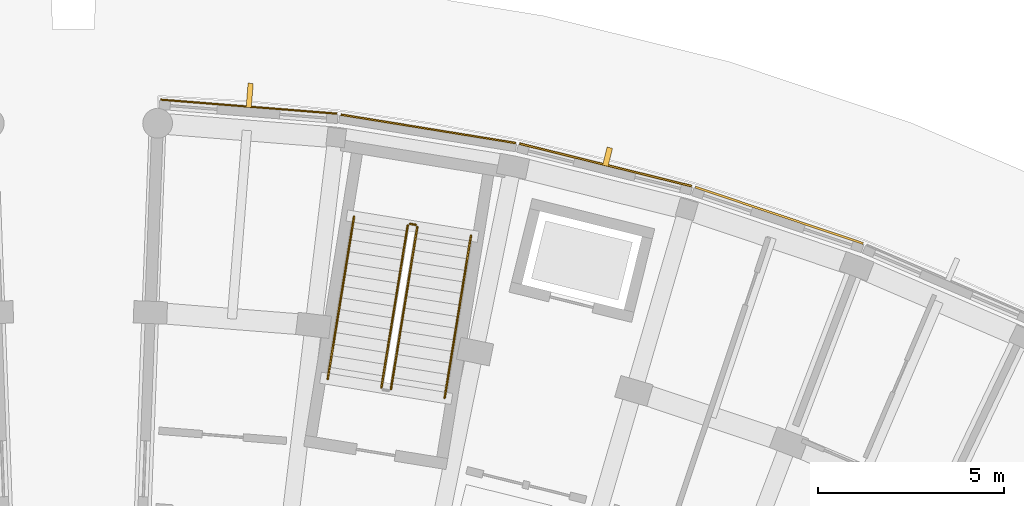
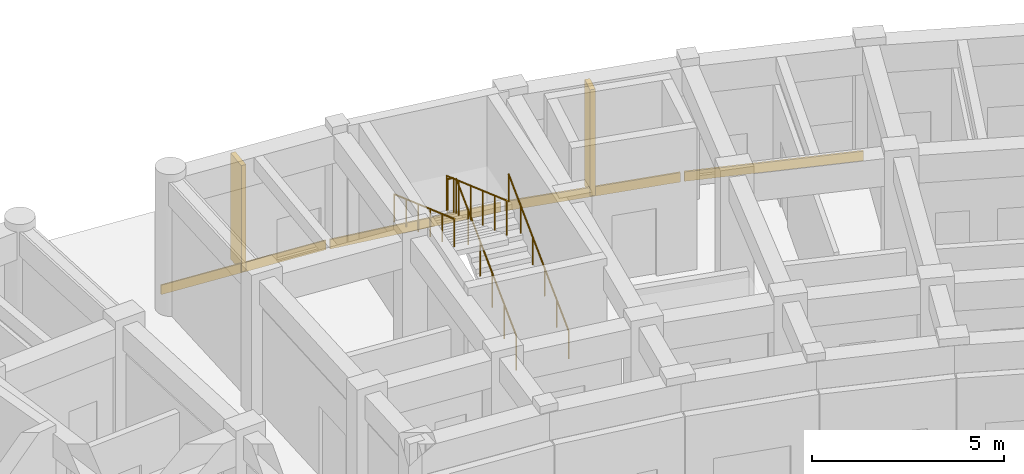
# One storey, part 55 of 61: 5 railings, 4 coverings, 2 shading devices.
"""IFC4 building model written with IfcOpenShell, lengths in metres."""

import ifcopenshell
import ifcopenshell.guid

model = None  # the IFC model being written
_history = None  # IfcOwnerHistory: only IFC2X3 demands one
_inside = {}  # id of a spatial element -> (the spatial element, [elements in it])
_under = {}  # id of a project, library or spatial element -> (it, [spatial elements below it])
_declared = {}  # id of a project -> (the project, [libraries it declares])
_typed = {}  # id of a type object -> (the type object, [elements of that type])
_made_of = {}  # id of a material, layer set ... -> (it, [elements and type objects made of it])


def new_model(schema):
    """Start an empty IFC model of exactly this schema.

    Asked for "IFC4X3", IfcOpenShell would pick the latest addendum, in which some entities
    have other attributes; the version numbers below select the first issue.
    IFC2X3 requires an IfcOwnerHistory on every rooted entity: one is made here for all.
    """
    global model, _history
    if schema == "IFC4X3":
        model = ifcopenshell.file(schema_version=(4, 3, 0, 0))
    else:
        model = ifcopenshell.file(schema=schema)
    _inside.clear()
    _under.clear()
    _declared.clear()
    _typed.clear()
    _made_of.clear()
    _history = None
    if model.schema == "IFC2X3":
        org = make("IfcOrganization", Name="unknown")
        user = make(
            "IfcPersonAndOrganization",
            ThePerson=make("IfcPerson", FamilyName="unknown"),
            TheOrganization=org,
        )
        app = make(
            "IfcApplication",
            ApplicationDeveloper=org,
            Version="unknown",
            ApplicationFullName="unknown",
            ApplicationIdentifier="unknown",
        )
        _history = make(
            "IfcOwnerHistory",
            OwningUser=user,
            OwningApplication=app,
            ChangeAction="ADDED",
            CreationDate=0,
        )
    return model


def make(cls, **values):
    """One entity of the class cls with the attributes given. An attribute that is None is left unset."""
    return model.create_entity(
        cls, **{name: value for name, value in values.items() if value is not None}
    )


def rooted(cls, **values):
    """An entity with a GlobalId (a new one), such as an element, a storey or a relation."""
    return make(cls, GlobalId=ifcopenshell.guid.new(), OwnerHistory=_history, **values)


def si_unit(unit_type, name, prefix=None):
    """IfcSIUnit, for example si_unit("LENGTHUNIT", "METRE", prefix="MILLI")."""
    return make("IfcSIUnit", UnitType=unit_type, Prefix=prefix, Name=name)


def assignment(units):
    """IfcUnitAssignment: the units of a project."""
    return None if units is None else make("IfcUnitAssignment", Units=units)


def point(xyz):
    """IfcCartesianPoint."""
    return None if xyz is None else make("IfcCartesianPoint", Coordinates=xyz)


def direction(xyz):
    """IfcDirection."""
    return None if xyz is None else make("IfcDirection", DirectionRatios=xyz)


def frame(location, z_axis=None, x_axis=None):
    """IfcAxis2Placement3D, a coordinate frame: its origin and axes. An axis left out is left unset."""
    return make(
        "IfcAxis2Placement3D",
        Location=point(location),
        Axis=direction(z_axis),
        RefDirection=direction(x_axis),
    )


def frame_2d(location, x_axis=None):
    """IfcAxis2Placement2D, a coordinate frame in the plane: its origin and x axis."""
    return make(
        "IfcAxis2Placement2D", Location=point(location), RefDirection=direction(x_axis)
    )


def origin():
    """The frame at (0, 0, 0) with its axes left unset."""
    return frame((0.0, 0.0, 0.0))


def origin_2d():
    """The frame at (0, 0) in the plane with its x axis left unset."""
    return frame_2d((0.0, 0.0))


def place(relative_to, where):
    """IfcLocalPlacement: puts the frame where relative to a parent placement (None: the world)."""
    return make(
        "IfcLocalPlacement", PlacementRelTo=relative_to, RelativePlacement=where
    )


def context(
    kind, dimensions, precision=None, world=None, true_north=None, identifier=None
):
    """IfcGeometricRepresentationContext, for example the 3D "Model" context."""
    return make(
        "IfcGeometricRepresentationContext",
        ContextIdentifier=identifier,
        ContextType=kind,
        CoordinateSpaceDimension=dimensions,
        Precision=precision,
        WorldCoordinateSystem=world,
        TrueNorth=true_north,
    )


def subcontext(parent, identifier, kind, view, scale=None):
    """IfcGeometricRepresentationSubContext, for example "Body" below "Model"."""
    return make(
        "IfcGeometricRepresentationSubContext",
        ContextIdentifier=identifier,
        ContextType=kind,
        ParentContext=parent,
        TargetScale=scale,
        TargetView=view,
    )


def project(units=None, contexts=None):
    """IfcProject with its units and contexts."""
    return rooted(
        "IfcProject",
        Name="project",
        RepresentationContexts=contexts,
        UnitsInContext=assignment(units),
    )


def spatial(cls, under=None, at=None, **own):
    """A site, building, storey or space (cls), placed at a placement, below another one or the project."""
    s = rooted(cls, ObjectPlacement=at, **own)
    if under is not None:
        _under.setdefault(under.id(), (under, []))[1].append(s)
    return s


def profile(cls, at=None, kind="AREA", **sizes):
    """A parametric profile (cls). Its sizes go by their IFC names, for example OverallWidth=200.0."""
    return make(cls, ProfileType=kind, Position=at, **sizes)


def rectangle(**sizes):
    """IfcRectangleProfileDef."""
    return profile("IfcRectangleProfileDef", **sizes)


def circle(**sizes):
    """IfcCircleProfileDef."""
    return profile("IfcCircleProfileDef", **sizes)


def extrude(swept, where, along, depth):
    """IfcExtrudedAreaSolid: the profile swept, set in the frame where, extruded along a direction by depth."""
    return make(
        "IfcExtrudedAreaSolid",
        SweptArea=swept,
        Position=where,
        ExtrudedDirection=direction(along),
        Depth=depth,
    )


def shape(context_of_items, identifier, shape_type, items):
    """IfcShapeRepresentation: the items that make up one representation, for example the "Body"."""
    return make(
        "IfcShapeRepresentation",
        ContextOfItems=context_of_items,
        RepresentationIdentifier=identifier,
        RepresentationType=shape_type,
        Items=items,
    )


def material(Name=None, Category=None):
    """IfcMaterial."""
    return make("IfcMaterial", Name=Name, Category=Category)


def layer(
    of_material, thickness, ventilated=None, Name=None, Category=None, Priority=None
):
    """IfcMaterialLayer: one layer of a wall or slab, of a material (None: an air gap)."""
    return make(
        "IfcMaterialLayer",
        Material=of_material,
        LayerThickness=thickness,
        IsVentilated=ventilated,
        Name=Name,
        Category=Category,
        Priority=Priority,
    )


def layer_set(layers, Name=None):
    """IfcMaterialLayerSet."""
    return make("IfcMaterialLayerSet", MaterialLayers=layers, LayerSetName=Name)


def made_of(thing, what):
    """Note that an element or type object is made of a material, layer set ...; save() writes the relation."""
    if what is not None:
        _made_of.setdefault(what.id(), (what, []))[1].append(thing)
    return thing


def type_object(cls, material=None, **own):
    """A type object (cls), such as IfcWallType, which elements share."""
    return made_of(rooted(cls, **own), material)


def element(
    cls,
    number,
    at=None,
    inside=None,
    cuts=None,
    type_object=None,
    material=None,
    context=None,
    identifier="Body",
    shape_type=None,
    held_by="IfcProductDefinitionShape",
    body=None,
    shapes=None,
    **own,
):
    """One element of the class cls, such as IfcWall. Its Tag is "e" and its number.

    at: its placement. inside: the storey or other place that contains it. cuts: it is an
    opening in that element (IfcRelVoidsElement). A single representation is given by context,
    identifier, shape_type and body (its items); several are given by shapes. held_by: the class
    of the entity that holds the representations. save() writes the other relations.
    """
    e = rooted(cls, Tag="e%d" % number, ObjectPlacement=at, **own)
    if body is not None:
        shapes = [shape(context, identifier, shape_type, body)]
    if shapes is not None:
        e.Representation = make(held_by, Representations=shapes)
    if inside is not None:
        _inside.setdefault(inside.id(), (inside, []))[1].append(e)
    if cuts is not None:
        rooted(
            "IfcRelVoidsElement", RelatingBuildingElement=cuts, RelatedOpeningElement=e
        )
    if type_object is not None:
        _typed.setdefault(type_object.id(), (type_object, []))[1].append(e)
    return made_of(e, material)


def aggregate(whole, parts):
    """IfcRelAggregates: a whole, such as a stair, and the parts it consists of."""
    return rooted("IfcRelAggregates", RelatingObject=whole, RelatedObjects=parts)


def save(model, path):
    """Write the relations noted so far, then the file.

    IfcRelAggregates (storeys below a building ...), IfcRelContainedInSpatialStructure (elements
    in a storey), IfcRelDefinesByType, IfcRelAssociatesMaterial and IfcRelDeclares: one each for
    every whole, place, type object, material and project.
    """
    for whole, parts in _under.values():
        aggregate(whole, parts)
    for where, things in _inside.values():
        rooted(
            "IfcRelContainedInSpatialStructure",
            RelatedElements=things,
            RelatingStructure=where,
        )
    for kind, things in _typed.values():
        rooted("IfcRelDefinesByType", RelatedObjects=things, RelatingType=kind)
    for what, things in _made_of.values():
        rooted("IfcRelAssociatesMaterial", RelatedObjects=things, RelatingMaterial=what)
    for by, libraries in _declared.values():
        rooted("IfcRelDeclares", RelatingContext=by, RelatedDefinitions=libraries)
    model.write(path)


model = new_model("IFC4")

# Units and contexts
model_context = context("Model", 3, precision=1e-05, world=origin(), true_north=direction((0.0, 1.0)))
body_context = subcontext(model_context, "Body", "Model", "MODEL_VIEW")
ifc_project = project(units=[si_unit("LENGTHUNIT", "METRE"), si_unit("AREAUNIT", "SQUARE_METRE"), si_unit("VOLUMEUNIT", "CUBIC_METRE"), si_unit("PLANEANGLEUNIT", "RADIAN"), si_unit("MASSUNIT", "GRAM", prefix="KILO")], contexts=[model_context])

# Site, building, storey
site_placement = place(None, origin())
site = spatial("IfcSite", under=ifc_project, at=site_placement, CompositionType="ELEMENT")
building_placement = place(site_placement, origin())
building = spatial("IfcBuilding", under=site, at=building_placement, Name="Zimvara Arc Housing Community", CompositionType="ELEMENT")
storey_placement = place(building_placement, origin())
storey = spatial("IfcBuildingStorey", under=building, at=storey_placement, Name="L00", CompositionType="ELEMENT", Elevation=0.0)

# Coverings
ifc_material_1 = material(Name="Pale-Gold Anodised Aluminium Cladding", Category="aluminium")
ifc_layer_1 = layer(ifc_material_1, 0.0400390625)
ifc_layer_set_1 = layer_set([ifc_layer_1], Name="Pale-Gold Anodised Aluminium Cladding")
covering_type_1 = type_object("IfcCoveringType", Name="CLD-GOLD-01", PredefinedType="CLADDING", material=ifc_layer_set_1)
covering_1_placement = place(storey_placement, frame((49.70751953125, 103.784423828125, 0.009765625), z_axis=(0.0, 0.0, 1.0), x_axis=(0.996862316013, -0.079155056145, 0.0)))
element("IfcCovering", 1, at=covering_1_placement, inside=storey, type_object=covering_type_1, Name="cld:blkB:L00:out:b0", PredefinedType="CLADDING", context=body_context, shape_type="SweptSolid", body=[
    extrude(rectangle(XDim=4.748779296875, YDim=0.0400390625, at=origin_2d()), origin(), (0.0, 0.0, 1.0), 0.300048828125),
])
ifc_material_2 = material(Name="Pale-Gold Anodised Aluminium Cladding", Category="aluminium")
ifc_layer_2 = layer(ifc_material_2, 0.044921875)
ifc_layer_set_2 = layer_set([ifc_layer_2], Name="Pale-Gold Anodised Aluminium Cladding")
covering_type_2 = type_object("IfcCoveringType", Name="CLD-GOLD-02", PredefinedType="CLADDING", material=ifc_layer_set_2)
covering_2_placement = place(storey_placement, frame((54.526611328125, 103.188720703125, 0.009765625), z_axis=(0.0, 0.0, 1.0), x_axis=(0.987080395872, -0.160225753504, 0.0)))
element("IfcCovering", 2, at=covering_2_placement, inside=storey, type_object=covering_type_2, Name="cld:blkB:L00:out:b1", PredefinedType="CLADDING", context=body_context, shape_type="SweptSolid", body=[
    extrude(rectangle(XDim=4.748779296875, YDim=0.044921875, at=origin_2d()), origin(), (0.0, 0.0, 1.0), 0.300048828125),
])
ifc_material_3 = material(Name="Pale-Gold Anodised Aluminium Cladding", Category="aluminium")
ifc_layer_3 = layer(ifc_material_3, 0.050048828125)
ifc_layer_set_3 = layer_set([ifc_layer_3], Name="Pale-Gold Anodised Aluminium Cladding")
covering_type_3 = type_object("IfcCoveringType", Name="CLD-GOLD-03", PredefinedType="CLADDING", material=ifc_layer_set_3)
covering_3_placement = place(storey_placement, frame((59.28466796875, 102.22119140625, 0.009765625), z_axis=(0.0, 0.0, 1.0), x_axis=(0.9707160623, -0.240229736697, 0.0)))
element("IfcCovering", 3, at=covering_3_placement, inside=storey, type_object=covering_type_3, Name="cld:blkB:L00:out:b2", PredefinedType="CLADDING", context=body_context, shape_type="SweptSolid", body=[
    extrude(rectangle(XDim=4.748779296875, YDim=0.050048828125, at=origin_2d()), origin(), (0.0, 0.0, 1.0), 0.300048828125),
])
ifc_material_4 = material(Name="Pale-Gold Anodised Aluminium Cladding", Category="aluminium")
ifc_layer_4 = layer(ifc_material_4, 0.054931640625)
ifc_layer_set_4 = layer_set([ifc_layer_4], Name="Pale-Gold Anodised Aluminium Cladding")
covering_type_4 = type_object("IfcCoveringType", Name="CLD-GOLD-04", PredefinedType="CLADDING", material=ifc_layer_set_4)
covering_4_placement = place(storey_placement, frame((63.9482421875, 100.868408203125, 0.009765625), z_axis=(0.0, 0.0, 1.0), x_axis=(0.947879690069, -0.318628456287, 0.0)))
element("IfcCovering", 4, at=covering_4_placement, inside=storey, type_object=covering_type_4, Name="cld:blkB:L00:out:b3", PredefinedType="CLADDING", context=body_context, shape_type="SweptSolid", body=[
    extrude(rectangle(XDim=4.748779296875, YDim=0.054931640625, at=origin_2d()), origin(), (0.0, 0.0, 1.0), 0.300048828125),
])

# Railings
ifc_material_5 = material(Name="Anodised Aluminium AW-6063", Category="aluminium")
railing_type_1 = type_object("IfcRailingType", Name="RLG-BAL-1120", PredefinedType="BALUSTRADE", material=ifc_material_5)
railing_1_placement = place(storey_placement, frame((53.524169921875, 96.2021484375, 0.14990234375)))
element("IfcRailing", 5, at=railing_1_placement, inside=storey, type_object=railing_type_1, Name="L00 ST-B1 stair guard 1", PredefinedType="BALUSTRADE", context=body_context, shape_type="SweptSolid", body=[
    extrude(circle(Radius=0.02392578125, at=origin_2d()), frame((0.0, 0.0, 1.09619140625), z_axis=(0.144649645374, 0.891189764003, 0.429950328096), x_axis=(-0.987082298635, 0.160214030973, 0.0)), (0.0, 0.0, 1.0), 4.884521484375),
    extrude(circle(Radius=0.02099609375, at=origin_2d()), origin(), (0.0, 0.0, 1.0), 1.072021484375),
    extrude(circle(Radius=0.02099609375, at=origin_2d()), frame((0.141357421875, 0.87060546875, 0.419921875)), (0.0, 0.0, 1.0), 1.072021484375),
    extrude(circle(Radius=0.02099609375, at=origin_2d()), frame((0.28271484375, 1.7412109375, 0.840087890625)), (0.0, 0.0, 1.0), 1.072021484375),
    extrude(circle(Radius=0.02099609375, at=origin_2d()), frame((0.423828125, 2.61181640625, 1.260009765625)), (0.0, 0.0, 1.0), 1.072021484375),
    extrude(circle(Radius=0.02099609375, at=origin_2d()), frame((0.565185546875, 3.482421875, 1.68017578125)), (0.0, 0.0, 1.0), 1.072021484375),
    extrude(circle(Radius=0.02099609375, at=origin_2d()), frame((0.70654296875, 4.35302734375, 2.10009765625)), (0.0, 0.0, 1.0), 1.072021484375),
])
railing_2_placement = place(storey_placement, frame((54.189453125, 100.612548828125, 2.25)))
element("IfcRailing", 6, at=railing_2_placement, inside=storey, type_object=railing_type_1, Name="L00 ST-B1 stair guard 2", PredefinedType="BALUSTRADE", context=body_context, shape_type="SweptSolid", body=[
    extrude(circle(Radius=0.02392578125, at=origin_2d()), frame((0.0, 0.0, 1.09619140625), z_axis=(-0.987085924886, 0.160191687964, 0.0), x_axis=(-0.160191687964, -0.987085924886, 0.0)), (0.0, 0.0, 1.0), 0.159912109375),
    extrude(circle(Radius=0.02099609375, at=origin_2d()), origin(), (0.0, 0.0, 1.0), 1.072021484375),
    extrude(circle(Radius=0.02099609375, at=origin_2d()), frame((-0.157958984375, 0.025634765625, 0.0)), (0.0, 0.0, 1.0), 1.072021484375),
])
railing_3_placement = place(storey_placement, frame((53.97412109375, 100.596923828125, 2.39990234375)))
element("IfcRailing", 7, at=railing_3_placement, inside=storey, type_object=railing_type_1, Name="L00 ST-B1 stair guard 3", PredefinedType="BALUSTRADE", context=body_context, shape_type="SweptSolid", body=[
    extrude(circle(Radius=0.02392578125, at=origin_2d()), frame((0.0, 0.0, 1.09619140625), z_axis=(-0.144649645374, -0.891189764003, 0.429950328096), x_axis=(0.987082298635, -0.160214030973, 0.0)), (0.0, 0.0, 1.0), 4.884521484375),
    extrude(circle(Radius=0.02099609375, at=origin_2d()), origin(), (0.0, 0.0, 1.0), 1.072021484375),
    extrude(circle(Radius=0.02099609375, at=origin_2d()), frame((-0.141357421875, -0.87060546875, 0.419921875)), (0.0, 0.0, 1.0), 1.072021484375),
    extrude(circle(Radius=0.02099609375, at=origin_2d()), frame((-0.28271484375, -1.7412109375, 0.840087890625)), (0.0, 0.0, 1.0), 1.072021484375),
    extrude(circle(Radius=0.02099609375, at=origin_2d()), frame((-0.423828125, -2.61181640625, 1.260009765625)), (0.0, 0.0, 1.0), 1.072021484375),
    extrude(circle(Radius=0.02099609375, at=origin_2d()), frame((-0.565185546875, -3.482421875, 1.68017578125)), (0.0, 0.0, 1.0), 1.072021484375),
    extrude(circle(Radius=0.02099609375, at=origin_2d()), frame((-0.70654296875, -4.35302734375, 2.10009765625)), (0.0, 0.0, 1.0), 1.072021484375),
])
ifc_material_6 = material(Name="Anodised Aluminium AW-6063", Category="aluminium")
railing_type_2 = type_object("IfcRailingType", Name="RLG-HND-900", PredefinedType="HANDRAIL", material=ifc_material_6)
railing_4_placement = place(storey_placement, frame((54.96533203125, 95.96826171875, 0.14990234375)))
element("IfcRailing", 8, at=railing_4_placement, inside=storey, type_object=railing_type_2, Name="L00 ST-B1 stair handrail 1", PredefinedType="HANDRAIL", context=body_context, shape_type="SweptSolid", body=[
    extrude(circle(Radius=0.02392578125, at=origin_2d()), frame((0.0, 0.0, 0.8759765625), z_axis=(0.144649645374, 0.891189764003, 0.429950328096), x_axis=(-0.987082298635, 0.160214030973, 0.0)), (0.0, 0.0, 1.0), 4.884521484375),
    extrude(circle(Radius=0.02099609375, at=origin_2d()), origin(), (0.0, 0.0, 1.0), 0.851806640625),
    extrude(circle(Radius=0.02099609375, at=origin_2d()), frame((0.141357421875, 0.87060546875, 0.419921875)), (0.0, 0.0, 1.0), 0.851806640625),
    extrude(circle(Radius=0.02099609375, at=origin_2d()), frame((0.28271484375, 1.7412109375, 0.840087890625)), (0.0, 0.0, 1.0), 0.851806640625),
    extrude(circle(Radius=0.02099609375, at=origin_2d()), frame((0.423828125, 2.61181640625, 1.260009765625)), (0.0, 0.0, 1.0), 0.851806640625),
    extrude(circle(Radius=0.02099609375, at=origin_2d()), frame((0.565185546875, 3.482421875, 1.68017578125)), (0.0, 0.0, 1.0), 0.851806640625),
    extrude(circle(Radius=0.02099609375, at=origin_2d()), frame((0.70654296875, 4.35302734375, 2.10009765625)), (0.0, 0.0, 1.0), 0.851806640625),
])
railing_5_placement = place(storey_placement, frame((52.532958984375, 100.830810546875, 2.39990234375)))
element("IfcRailing", 9, at=railing_5_placement, inside=storey, type_object=railing_type_2, Name="L00 ST-B1 stair handrail 2", PredefinedType="HANDRAIL", context=body_context, shape_type="SweptSolid", body=[
    extrude(circle(Radius=0.02392578125, at=origin_2d()), frame((0.0, 0.0, 0.8759765625), z_axis=(-0.144649645374, -0.891189764003, 0.429950328096), x_axis=(0.987082298635, -0.160214030973, 0.0)), (0.0, 0.0, 1.0), 4.884521484375),
    extrude(circle(Radius=0.02099609375, at=origin_2d()), origin(), (0.0, 0.0, 1.0), 0.851806640625),
    extrude(circle(Radius=0.02099609375, at=origin_2d()), frame((-0.141357421875, -0.87060546875, 0.419921875)), (0.0, 0.0, 1.0), 0.851806640625),
    extrude(circle(Radius=0.02099609375, at=origin_2d()), frame((-0.28271484375, -1.7412109375, 0.840087890625)), (0.0, 0.0, 1.0), 0.851806640625),
    extrude(circle(Radius=0.02099609375, at=origin_2d()), frame((-0.423828125, -2.61181640625, 1.260009765625)), (0.0, 0.0, 1.0), 0.851806640625),
    extrude(circle(Radius=0.02099609375, at=origin_2d()), frame((-0.565185546875, -3.482421875, 1.68017578125)), (0.0, 0.0, 1.0), 0.851806640625),
    extrude(circle(Radius=0.02099609375, at=origin_2d()), frame((-0.70654296875, -4.35302734375, 2.10009765625)), (0.0, 0.0, 1.0), 0.851806640625),
])

# Shading devices
ifc_material_7 = material(Name="Board-Marked Fair-Faced Concrete C40/50", Category="concrete")
shading_device_type_1 = type_object("IfcShadingDeviceType", Name="SHD-FIN-02", PredefinedType="JALOUSIE", material=ifc_material_7)
shading_device_1_placement = place(storey_placement, frame((49.7314453125, 104.08740234375, 0.0400390625), z_axis=(0.0, 0.0, 1.0), x_axis=(0.996862316013, -0.079155056145, 0.0)))
element("IfcShadingDevice", 10, at=shading_device_1_placement, inside=storey, type_object=shading_device_type_1, Name="fin:blkB:L00:out:b0", PredefinedType="JALOUSIE", context=body_context, shape_type="SweptSolid", body=[
    extrude(rectangle(XDim=0.139892578125, YDim=0.64990234375, at=origin_2d()), origin(), (0.0, 0.0, 1.0), 3.3701171875),
])
ifc_material_8 = material(Name="Board-Marked Fair-Faced Concrete C40/50", Category="concrete")
shading_device_type_2 = type_object("IfcShadingDeviceType", Name="SHD-FIN-04", PredefinedType="JALOUSIE", material=ifc_material_8)
shading_device_2_placement = place(storey_placement, frame((59.33837890625, 102.438720703125, 0.0400390625), z_axis=(0.0, 0.0, 1.0), x_axis=(0.9707160623, -0.240229736697, 0.0)))
element("IfcShadingDevice", 11, at=shading_device_2_placement, inside=storey, type_object=shading_device_type_2, Name="fin:blkB:L00:out:b2", PredefinedType="JALOUSIE", context=body_context, shape_type="SweptSolid", body=[
    extrude(rectangle(XDim=0.14990234375, YDim=0.5, at=origin_2d()), origin(), (0.0, 0.0, 1.0), 3.3701171875),
])

save(model, "model.ifc")
